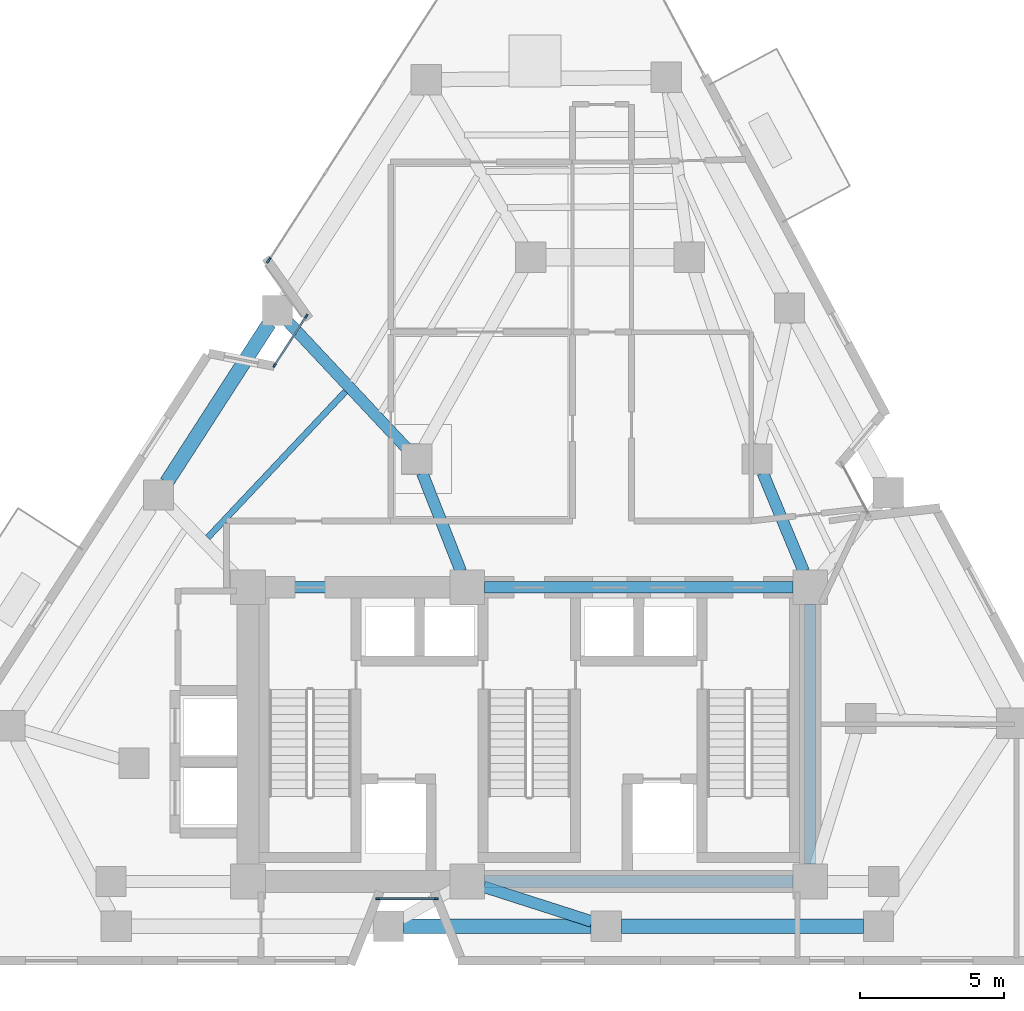
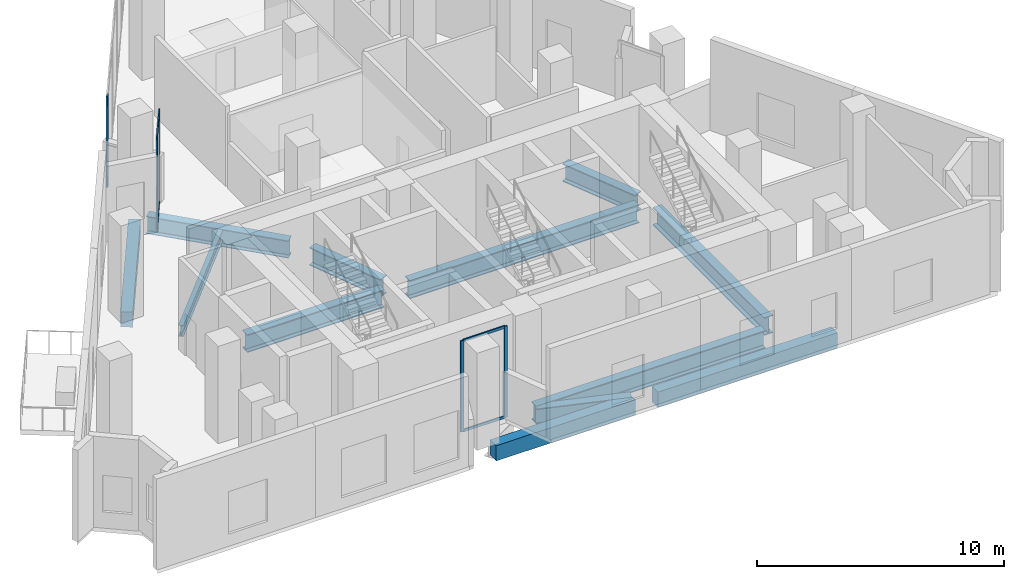
# One storey, part 2 of 10: 12 beams, 9 members, 3 elements without a shape of their own.
"""IFC4 building model written with IfcOpenShell, lengths in metres."""

from ifc_helpers import new_model, si_unit, direction, frame, origin, origin_2d, place, context, subcontext, project, spatial, rectangle, i_section, extrude, material, layer, layer_set, material_profile, profile_set, type_object, element, aggregate, save


model = new_model("IFC4")

# Units and contexts
model_context = context("Model", 3, precision=1e-05, world=origin(), true_north=direction((0.0, 1.0)))
body_context = subcontext(model_context, "Body", "Model", "MODEL_VIEW")
ifc_project = project(units=[si_unit("LENGTHUNIT", "METRE"), si_unit("AREAUNIT", "SQUARE_METRE"), si_unit("VOLUMEUNIT", "CUBIC_METRE"), si_unit("PLANEANGLEUNIT", "RADIAN"), si_unit("MASSUNIT", "GRAM", prefix="KILO")], contexts=[model_context])

# Site, building, storey
site_placement = place(None, origin())
site = spatial("IfcSite", under=ifc_project, at=site_placement, CompositionType="ELEMENT")
building_placement = place(site_placement, origin())
building = spatial("IfcBuilding", under=site, at=building_placement, Name="Almagre Mirador Tower", CompositionType="ELEMENT")
storey_placement = place(building_placement, frame((0.0, 0.0, 196.800048828125)))
storey = spatial("IfcBuildingStorey", under=building, at=storey_placement, Name="L51", CompositionType="ELEMENT", Elevation=196.800048828125)

# Beams
ifc_material_1 = material(Name="Steel ASTM A992 Grade 50", Category="steel")
ifc_material_profile_1 = material_profile(ifc_material_1, i_section(OverallWidth=0.214111328125, OverallDepth=0.549072265625, WebThickness=0.0146484375, FlangeThickness=0.023681640625, FilletRadius=0.01806640625, at=origin_2d()), Name="W21X93")
ifc_profile_set_1 = profile_set([ifc_material_profile_1], Name="Steel ASTM A992 Grade 50")
beam_type_1 = type_object("IfcBeamType", Name="BM-JST-W21X93", PredefinedType="JOIST", material=ifc_profile_set_1)
beam_1_placement = place(storey_placement, frame((30.931396484375, 21.5419921875, -0.574462890625), z_axis=(-0.685923256334, -0.727673887411, 0.0), x_axis=(0.727673887411, -0.685923256334, 0.0)))
element("IfcBeam", 1, at=beam_1_placement, inside=storey, type_object=beam_type_1, Name="L51 secondary floor joist PC10-PC11.2", PredefinedType="JOIST", context=body_context, shape_type="SweptSolid", body=[
    extrude(i_section(OverallWidth=0.214111328125, OverallDepth=0.549072265625, WebThickness=0.0146484375, FlangeThickness=0.023681640625, FilletRadius=0.01806640625, at=origin_2d()), origin(), (0.0, 0.0, 1.0), 6.964599609375),
])
ifc_material_2 = material(Name="Precast concrete C50/60", Category="concrete")
ifc_material_profile_2 = material_profile(ifc_material_2, rectangle(XDim=0.5, YDim=0.75, at=origin_2d()), Name="RC500X750")
ifc_profile_set_2 = profile_set([ifc_material_profile_2], Name="Precast concrete C50/60")
beam_type_2 = type_object("IfcBeamType", Name="BM-SPN-RC500X750", PredefinedType="SPANDREL", material=ifc_profile_set_2)
beam_2_placement = place(storey_placement, frame((32.948974609375, 3.0, -0.675048828125), z_axis=(1.0, 0.0, 0.0), x_axis=(0.0, 1.0, 0.0)))
element("IfcBeam", 2, at=beam_2_placement, inside=storey, type_object=beam_type_2, Name="L51 perimeter spandrel beam PC02-PC03", PredefinedType="SPANDREL", context=body_context, shape_type="SweptSolid", body=[
    extrude(rectangle(XDim=0.5, YDim=0.75, at=origin_2d()), origin(), (0.0, 0.0, 1.0), 6.501953125),
])
beam_3_placement = place(storey_placement, frame((40.5009765625, 3.0, -0.675048828125), z_axis=(1.0, 0.0, 0.0), x_axis=(0.0, 1.0, 0.0)))
element("IfcBeam", 3, at=beam_3_placement, inside=storey, type_object=beam_type_2, Name="L51 perimeter spandrel beam PC03-PC04", PredefinedType="SPANDREL", context=body_context, shape_type="SweptSolid", body=[
    extrude(rectangle(XDim=0.5, YDim=0.75, at=origin_2d()), origin(), (0.0, 0.0, 1.0), 8.39013671875),
])
beam_4_placement = place(storey_placement, frame((28.287353515625, 23.90869140625, -0.675048828125), z_axis=(-0.542031160538, -0.840358388431, 0.0), x_axis=(0.840358388431, -0.542031160538, 0.0)))
element("IfcBeam", 4, at=beam_4_placement, inside=storey, type_object=beam_type_2, Name="L51 perimeter spandrel beam PC10-PC11", PredefinedType="SPANDREL", context=body_context, shape_type="SweptSolid", body=[
    extrude(rectangle(XDim=0.5, YDim=0.75, at=origin_2d()), origin(), (0.0, 0.0, 1.0), 6.565673828125),
])
ifc_material_3 = material(Name="Steel ASTM A992 Grade 50", Category="steel")
ifc_material_profile_3 = material_profile(ifc_material_3, i_section(OverallWidth=0.39892578125, OverallDepth=0.85595703125, WebThickness=0.018310546875, FlangeThickness=0.029296875, FilletRadius=0.02490234375, at=origin_2d()), Name="W33X201")
ifc_profile_set_3 = profile_set([ifc_material_profile_3], Name="Steel ASTM A992 Grade 50")
beam_type_3 = type_object("IfcBeamType", Name="BM-STL-W33X201", PredefinedType="BEAM", material=ifc_profile_set_3)
beam_5_placement = place(storey_placement, frame((39.47607421875, 3.160400390625, -0.72802734375), z_axis=(-0.952092949621, 0.30580878876, 0.0), x_axis=(-0.30580878876, -0.952092949621, 0.0)))
element("IfcBeam", 5, at=beam_5_placement, inside=storey, type_object=beam_type_3, Name="L51 radial floor girder PC03-CC2", PredefinedType="BEAM", context=body_context, shape_type="SweptSolid", body=[
    extrude(i_section(OverallWidth=0.39892578125, OverallDepth=0.85595703125, WebThickness=0.018310546875, FlangeThickness=0.029296875, FilletRadius=0.02490234375, at=origin_2d()), origin(), (0.0, 0.0, 1.0), 3.94384765625),
])
beam_6_placement = place(storey_placement, frame((28.93115234375, 23.967041015625, -0.72802734375), z_axis=(0.683926262896, -0.729551140717, 0.0), x_axis=(0.729551140717, 0.683926262896, 0.0)))
element("IfcBeam", 6, at=beam_6_placement, inside=storey, type_object=beam_type_3, Name="L51 radial floor girder PC10-MC8", PredefinedType="BEAM", context=body_context, shape_type="SweptSolid", body=[
    extrude(i_section(OverallWidth=0.39892578125, OverallDepth=0.85595703125, WebThickness=0.018310546875, FlangeThickness=0.029296875, FilletRadius=0.02490234375, at=origin_2d()), origin(), (0.0, 0.0, 1.0), 6.00927734375),
])
ifc_material_4 = material(Name="Steel ASTM A992 Grade 50", Category="steel")
ifc_material_profile_4 = material_profile(ifc_material_4, i_section(OverallWidth=0.404052734375, OverallDepth=0.884033203125, WebThickness=0.0244140625, FlangeThickness=0.0439453125, FilletRadius=0.02490234375, at=origin_2d()), Name="W33X291")
ifc_profile_set_4 = profile_set([ifc_material_profile_4], Name="Steel ASTM A992 Grade 50")
beam_type_4 = type_object("IfcBeamType", Name="BM-STL-W33X291", PredefinedType="BEAM", material=ifc_profile_set_4)
beam_7_placement = place(storey_placement, frame((35.75, 4.550048828125, -0.741943359375), z_axis=(1.0, 0.0, 0.0), x_axis=(0.0, 1.0, 0.0)))
element("IfcBeam", 7, at=beam_7_placement, inside=storey, type_object=beam_type_4, Name="L51 core tie girder CC2-CC3", PredefinedType="BEAM", context=body_context, shape_type="SweptSolid", body=[
    extrude(i_section(OverallWidth=0.404052734375, OverallDepth=0.884033203125, WebThickness=0.0244140625, FlangeThickness=0.0439453125, FilletRadius=0.02490234375, at=origin_2d()), origin(), (0.0, 0.0, 1.0), 10.699951171875),
])
beam_8_placement = place(storey_placement, frame((28.14990234375, 14.75, -0.741943359375), z_axis=(1.0, 0.0, 0.0), x_axis=(0.0, 1.0, 0.0)))
element("IfcBeam", 8, at=beam_8_placement, inside=storey, type_object=beam_type_4, Name="L51 core tie girder CC4-CC5", PredefinedType="BEAM", context=body_context, shape_type="SweptSolid", body=[
    extrude(i_section(OverallWidth=0.404052734375, OverallDepth=0.884033203125, WebThickness=0.0244140625, FlangeThickness=0.0439453125, FilletRadius=0.02490234375, at=origin_2d()), origin(), (0.0, 0.0, 1.0), 6.400146484375),
])
beam_9_placement = place(storey_placement, frame((35.75, 14.75, -0.741943359375), z_axis=(1.0, 0.0, 0.0), x_axis=(0.0, 1.0, 0.0)))
element("IfcBeam", 9, at=beam_9_placement, inside=storey, type_object=beam_type_4, Name="L51 core tie girder CC5-CC6", PredefinedType="BEAM", context=body_context, shape_type="SweptSolid", body=[
    extrude(i_section(OverallWidth=0.404052734375, OverallDepth=0.884033203125, WebThickness=0.0244140625, FlangeThickness=0.0439453125, FilletRadius=0.02490234375, at=origin_2d()), origin(), (0.0, 0.0, 1.0), 10.699951171875),
])
beam_10_placement = place(storey_placement, frame((47.050048828125, 5.14990234375, -0.741943359375), z_axis=(0.0, 1.0, 0.0), x_axis=(-1.0, 0.0, 0.0)))
element("IfcBeam", 10, at=beam_10_placement, inside=storey, type_object=beam_type_4, Name="L51 core tie girder CC3-CC6", PredefinedType="BEAM", context=body_context, shape_type="SweptSolid", body=[
    extrude(i_section(OverallWidth=0.404052734375, OverallDepth=0.884033203125, WebThickness=0.0244140625, FlangeThickness=0.0439453125, FilletRadius=0.02490234375, at=origin_2d()), origin(), (0.0, 0.0, 1.0), 9.0),
])
beam_11_placement = place(storey_placement, frame((45.401611328125, 18.715087890625, -0.741943359375), z_axis=(0.383845645019, -0.923397271384, 0.0), x_axis=(0.923397271384, 0.383845645019, 0.0)))
element("IfcBeam", 11, at=beam_11_placement, inside=storey, type_object=beam_type_4, Name="L51 core tie girder MC5-CC6", PredefinedType="BEAM", context=body_context, shape_type="SweptSolid", body=[
    extrude(i_section(OverallWidth=0.404052734375, OverallDepth=0.884033203125, WebThickness=0.0244140625, FlangeThickness=0.0439453125, FilletRadius=0.02490234375, at=origin_2d()), origin(), (0.0, 0.0, 1.0), 3.694091796875),
])
beam_12_placement = place(storey_placement, frame((33.592041015625, 18.71142578125, -0.741943359375), z_axis=(0.365997304164, -0.930615910752, 0.0), x_axis=(0.930615910752, 0.365997304164, 0.0)))
element("IfcBeam", 12, at=beam_12_placement, inside=storey, type_object=beam_type_4, Name="L51 core tie girder MC8-CC5", PredefinedType="BEAM", context=body_context, shape_type="SweptSolid", body=[
    extrude(i_section(OverallWidth=0.404052734375, OverallDepth=0.884033203125, WebThickness=0.0244140625, FlangeThickness=0.0439453125, FilletRadius=0.02490234375, at=origin_2d()), origin(), (0.0, 0.0, 1.0), 3.65673828125),
])

# Curtain wall, members
ifc_material_5 = material(Name="Black anodized aluminium", Category="aluminium")
ifc_layer_1 = layer(ifc_material_5, 0.169921875)
ifc_layer_set_1 = layer_set([ifc_layer_1], Name="Black anodized aluminium")
curtain_wall_type_1 = type_object("IfcCurtainWallType", Name="CW-CRS-SYS", PredefinedType="NOTDEFINED", material=ifc_layer_set_1)
curtain_wall_1_placement = place(storey_placement, origin())
curtain_wall_1 = element("IfcCurtainWall", 13, at=curtain_wall_1_placement, inside=storey, type_object=curtain_wall_type_1, Name="L51 vertical crease curtain wall 01", PredefinedType="NOTDEFINED")
ifc_material_6 = material(Name="Black anodized aluminium", Category="aluminium")
ifc_material_profile_5 = material_profile(ifc_material_6, rectangle(XDim=0.06005859375, YDim=0.14990234375, at=origin_2d()), Name="CWM60X150")
ifc_profile_set_5 = profile_set([ifc_material_profile_5], Name="Black anodized aluminium")
member_type_1 = type_object("IfcMemberType", Name="MBR-CWM60X150", PredefinedType="MULLION", material=ifc_profile_set_5)
member_1_placement = place(storey_placement, frame((28.47314453125, 22.444091796875, 0.0), z_axis=(0.0, 0.0, 1.0), x_axis=(-0.840275552061, 0.542159567478, 0.0)))
member_1 = element("IfcMember", 14, at=member_1_placement, type_object=member_type_1, Name="CW-4 mullion 1", PredefinedType="MULLION", context=body_context, shape_type="SweptSolid", body=[
    extrude(rectangle(XDim=0.06005859375, YDim=0.14990234375, at=origin_2d()), origin(), (0.0, 0.0, 1.0), 4.5),
])
member_2_placement = place(storey_placement, frame((29.57373046875, 24.14990234375, 0.0), z_axis=(0.0, 0.0, 1.0), x_axis=(-0.840275552061, 0.542159567478, 0.0)))
member_2 = element("IfcMember", 15, at=member_2_placement, type_object=member_type_1, Name="CW-4 mullion 2", PredefinedType="MULLION", context=body_context, shape_type="SweptSolid", body=[
    extrude(rectangle(XDim=0.06005859375, YDim=0.14990234375, at=origin_2d()), origin(), (0.0, 0.0, 1.0), 4.5),
])

curtain_wall_2_placement = place(storey_placement, origin())
curtain_wall_2 = element("IfcCurtainWall", 16, at=curtain_wall_2_placement, inside=storey, type_object=curtain_wall_type_1, Name="L51 vertical crease curtain wall 06", PredefinedType="NOTDEFINED")
member_3_placement = place(storey_placement, frame((34.0791015625, 3.949951171875, 0.0), z_axis=(0.0, 0.0, 1.0), x_axis=(0.0, -1.0, 0.0)))
member_3 = element("IfcMember", 17, at=member_3_placement, type_object=member_type_1, Name="CW-4 mullion 1", PredefinedType="MULLION", context=body_context, shape_type="SweptSolid", body=[
    extrude(rectangle(XDim=0.06005859375, YDim=0.14990234375, at=origin_2d()), origin(), (0.0, 0.0, 1.0), 4.5),
])
member_4_placement = place(storey_placement, frame((32.049072265625, 3.949951171875, 0.0), z_axis=(0.0, 0.0, 1.0), x_axis=(0.0, -1.0, 0.0)))
member_4 = element("IfcMember", 18, at=member_4_placement, type_object=member_type_1, Name="CW-4 mullion 2", PredefinedType="MULLION", context=body_context, shape_type="SweptSolid", body=[
    extrude(rectangle(XDim=0.06005859375, YDim=0.14990234375, at=origin_2d()), origin(), (0.0, 0.0, 1.0), 4.5),
])

# Curtain wall, member
ifc_material_7 = material(Name="Black anodized aluminium", Category="aluminium")
ifc_layer_2 = layer(ifc_material_7, 0.22998046875)
ifc_layer_set_2 = layer_set([ifc_layer_2], Name="Black anodized aluminium")
curtain_wall_type_2 = type_object("IfcCurtainWallType", Name="CW-SKY-SYS", PredefinedType="NOTDEFINED", material=ifc_layer_set_2)
curtain_wall_3_placement = place(storey_placement, origin())
curtain_wall_3 = element("IfcCurtainWall", 19, at=curtain_wall_3_placement, inside=storey, type_object=curtain_wall_type_2, Name="L51 curtain wall run 02", PredefinedType="NOTDEFINED")
ifc_material_8 = material(Name="Black anodized aluminium", Category="aluminium")
ifc_material_profile_6 = material_profile(ifc_material_8, rectangle(XDim=0.070068359375, YDim=0.2099609375, at=origin_2d()), Name="CWM70X210")
ifc_profile_set_6 = profile_set([ifc_material_profile_6], Name="Black anodized aluminium")
member_type_2 = type_object("IfcMemberType", Name="MBR-CWM70X210", PredefinedType="MULLION", material=ifc_profile_set_6)
member_5_placement = place(storey_placement, frame((28.265869140625, 26.08837890625, 0.0), z_axis=(0.0, 0.0, 1.0), x_axis=(-0.840361480381, 0.542026366786, 0.0)))
member_5 = element("IfcMember", 20, at=member_5_placement, type_object=member_type_2, Name="CW-5 mullion 1", PredefinedType="MULLION", context=body_context, shape_type="SweptSolid", body=[
    extrude(rectangle(XDim=0.070068359375, YDim=0.2099609375, at=origin_2d()), origin(), (0.0, 0.0, 1.0), 4.5),
])
aggregate(curtain_wall_3, [member_5])

# Member
ifc_material_9 = material(Name="Black anodized aluminium", Category="aluminium")
ifc_material_profile_7 = material_profile(ifc_material_9, rectangle(XDim=0.06005859375, YDim=0.1298828125, at=origin_2d()), Name="CWT60X130")
ifc_profile_set_7 = profile_set([ifc_material_profile_7], Name="Black anodized aluminium")
member_type_3 = type_object("IfcMemberType", Name="MBR-CWT60X130", PredefinedType="USERDEFINED", material=ifc_profile_set_7)
member_6_placement = place(storey_placement, frame((28.489501953125, 22.469482421875, 0.030029296875), z_axis=(0.542166395455, 0.840271146499, 0.0), x_axis=(-0.840271146499, 0.542166395455, 0.0)))
member_6 = element("IfcMember", 21, at=member_6_placement, type_object=member_type_3, Name="CW-4 transom 1.1", ObjectType="TRANSOM", PredefinedType="USERDEFINED", context=body_context, shape_type="SweptSolid", body=[
    extrude(rectangle(XDim=0.06005859375, YDim=0.1298828125, at=origin_2d()), origin(), (0.0, 0.0, 1.0), 1.9697265625),
])

member_7_placement = place(storey_placement, frame((28.489501953125, 22.469482421875, 4.469970703125), z_axis=(0.542166395455, 0.840271146499, 0.0), x_axis=(-0.840271146499, 0.542166395455, 0.0)))
member_7 = element("IfcMember", 22, at=member_7_placement, type_object=member_type_3, Name="CW-4 transom 1.2", ObjectType="TRANSOM", PredefinedType="USERDEFINED", context=body_context, shape_type="SweptSolid", body=[
    extrude(rectangle(XDim=0.06005859375, YDim=0.1298828125, at=origin_2d()), origin(), (0.0, 0.0, 1.0), 1.9697265625),
])

aggregate(curtain_wall_1, [member_1, member_2, member_6, member_7])

member_8_placement = place(storey_placement, frame((34.049072265625, 3.949951171875, 0.030029296875), z_axis=(-1.0, 0.0, 0.0), x_axis=(0.0, -1.0, 0.0)))
member_8 = element("IfcMember", 23, at=member_8_placement, type_object=member_type_3, Name="CW-4 transom 1.1", ObjectType="TRANSOM", PredefinedType="USERDEFINED", context=body_context, shape_type="SweptSolid", body=[
    extrude(rectangle(XDim=0.06005859375, YDim=0.1298828125, at=origin_2d()), origin(), (0.0, 0.0, 1.0), 1.969970703125),
])

member_9_placement = place(storey_placement, frame((34.049072265625, 3.949951171875, 4.469970703125), z_axis=(-1.0, 0.0, 0.0), x_axis=(0.0, -1.0, 0.0)))
member_9 = element("IfcMember", 24, at=member_9_placement, type_object=member_type_3, Name="CW-4 transom 1.2", ObjectType="TRANSOM", PredefinedType="USERDEFINED", context=body_context, shape_type="SweptSolid", body=[
    extrude(rectangle(XDim=0.06005859375, YDim=0.1298828125, at=origin_2d()), origin(), (0.0, 0.0, 1.0), 1.969970703125),
])

aggregate(curtain_wall_2, [member_3, member_4, member_8, member_9])

save(model, "model.ifc")
